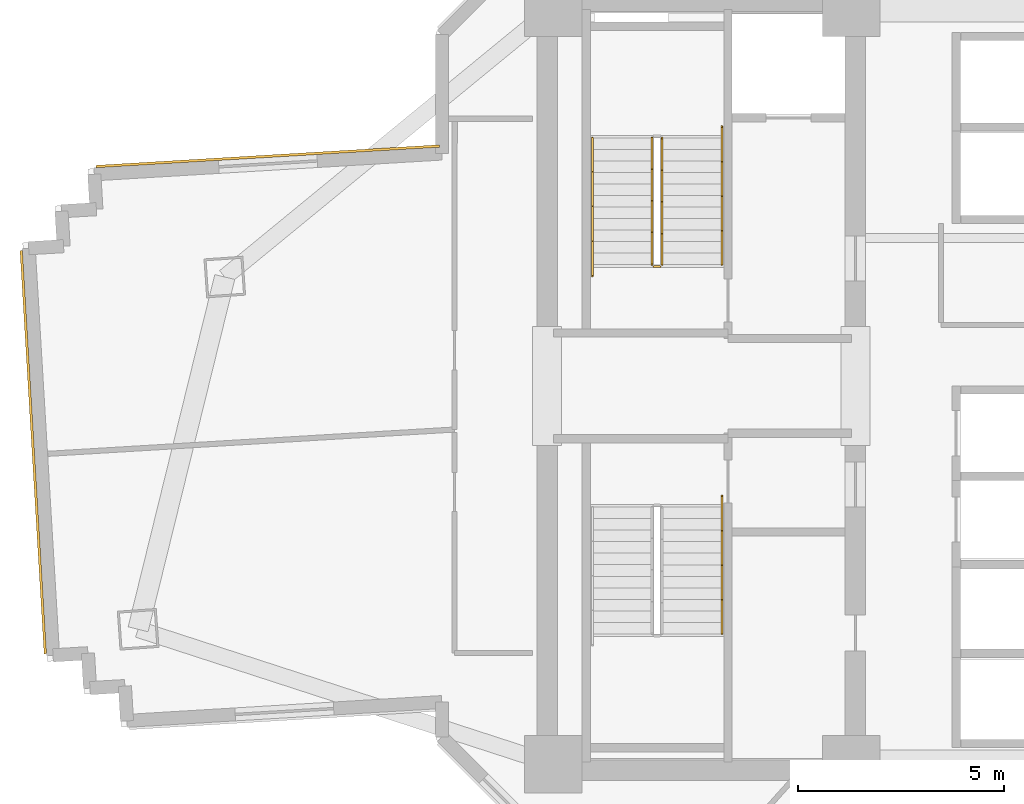
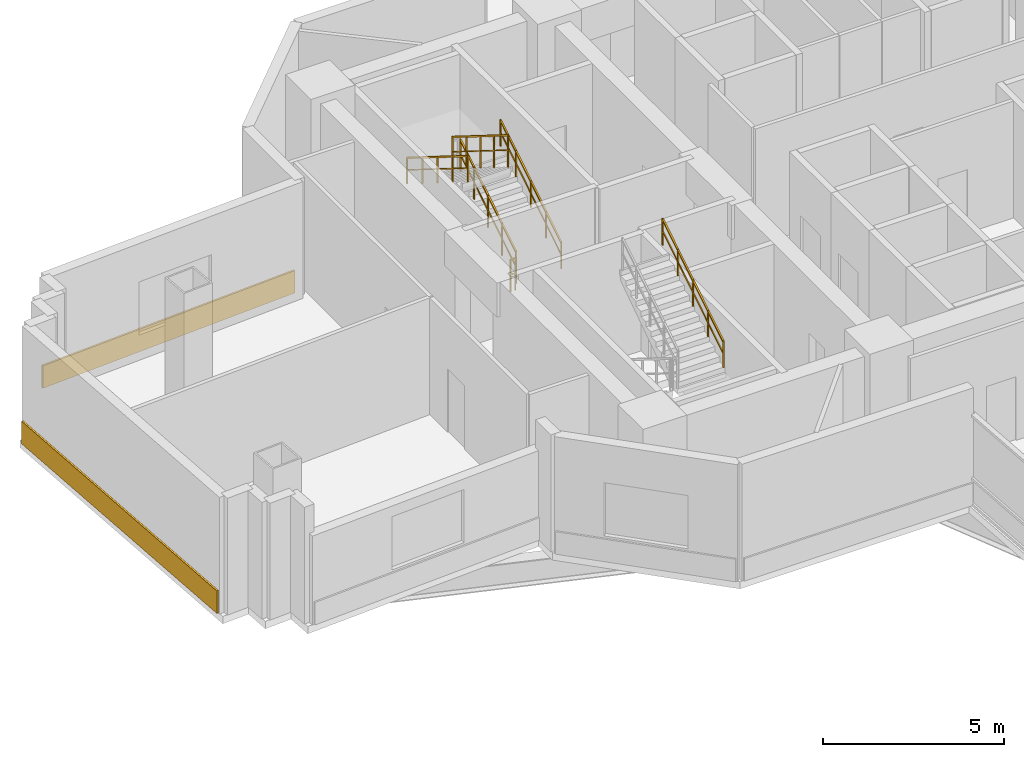
# One storey, part 12 of 15: 6 railings, 2 coverings.
"""IFC4 building model written with IfcOpenShell, lengths in metres."""

from ifc_helpers import new_model, si_unit, direction, frame, origin, origin_2d, place, context, subcontext, project, spatial, rectangle, extrude, source, transform, mapped, material, layer, layer_set, type_object, element, save


model = new_model("IFC4")

# Units and contexts
model_context = context("Model", 3, precision=1e-05, world=origin(), true_north=direction((0.0, 1.0)))
body_context = subcontext(model_context, "Body", "Model", "MODEL_VIEW")
ifc_project = project(units=[si_unit("LENGTHUNIT", "METRE"), si_unit("AREAUNIT", "SQUARE_METRE"), si_unit("VOLUMEUNIT", "CUBIC_METRE"), si_unit("PLANEANGLEUNIT", "RADIAN"), si_unit("MASSUNIT", "GRAM", prefix="KILO")], contexts=[model_context])

# Site, building, storey
site_placement = place(None, origin())
site = spatial("IfcSite", under=ifc_project, at=site_placement, CompositionType="ELEMENT")
building_placement = place(site_placement, origin())
building = spatial("IfcBuilding", under=site, at=building_placement, Name="Zahravan Cultural Tower", CompositionType="ELEMENT")
storey_placement = place(building_placement, frame((0.0, 0.0, 75.300048828125)))
storey = spatial("IfcBuildingStorey", under=building, at=storey_placement, Name="L16", CompositionType="ELEMENT", Elevation=75.300048828125)

# Railings
ifc_material_1 = material(Name="Steel ASTM A572 Grade 50", Category="steel")
railing_type_1 = type_object("IfcRailingType", Name="RL-STAIR-GRD1150", PredefinedType="BALUSTRADE", material=ifc_material_1)
railing_1_placement = place(storey_placement, frame((24.300048828125, 29.949951171875, 0.175048828125)))
element("IfcRailing", 1, at=railing_1_placement, inside=storey, type_object=railing_type_1, Name="L16 ST-W1 stair guard 1", PredefinedType="BALUSTRADE", context=body_context, shape_type="SweptSolid", body=[
    extrude(rectangle(XDim=0.05, YDim=0.05, at=origin_2d()), frame((0.0, 0.0, 1.0751953125), z_axis=(0.0, 0.848028513186, 0.529950602248), x_axis=(-1.0, 0.0, 0.0)), (0.0, 0.0, 1.0), 3.632080078125),
    extrude(rectangle(XDim=0.032, YDim=0.032, at=origin_2d()), frame((0.0, 0.0, 0.572021484375), z_axis=(0.0, 0.848028513186, 0.529950602248), x_axis=(-1.0, 0.0, 0.0)), (0.0, 0.0, 1.0), 3.632080078125),
    extrude(rectangle(XDim=0.04, YDim=0.04, at=origin_2d()), origin(), (0.0, 0.0, 1.0), 1.10009765625),
    extrude(rectangle(XDim=0.04, YDim=0.04, at=origin_2d()), frame((0.0, 0.77001953125, 0.481201171875)), (0.0, 0.0, 1.0), 1.10009765625),
    extrude(rectangle(XDim=0.04, YDim=0.04, at=origin_2d()), frame((0.0, 1.5400390625, 0.96240234375)), (0.0, 0.0, 1.0), 1.10009765625),
    extrude(rectangle(XDim=0.04, YDim=0.04, at=origin_2d()), frame((0.0, 2.31005859375, 1.443603515625)), (0.0, 0.0, 1.0), 1.10009765625),
    extrude(rectangle(XDim=0.04, YDim=0.04, at=origin_2d()), frame((0.0, 3.080078125, 1.9248046875)), (0.0, 0.0, 1.0), 1.10009765625),
])
railing_2_placement = place(storey_placement, frame((24.050048828125, 33.030029296875, 2.27490234375)))
element("IfcRailing", 2, at=railing_2_placement, inside=storey, type_object=railing_type_1, Name="L16 ST-W1 stair guard 3", PredefinedType="BALUSTRADE", context=body_context, shape_type="SweptSolid", body=[
    extrude(rectangle(XDim=0.05, YDim=0.05, at=origin_2d()), frame((0.0, 0.0, 1.0751953125), z_axis=(0.0, -0.847998304005, 0.529998940003), x_axis=(1.0, 0.0, 0.0)), (0.0, 0.0, 1.0), 3.632080078125),
    extrude(rectangle(XDim=0.032, YDim=0.032, at=origin_2d()), frame((0.0, 0.0, 0.572021484375), z_axis=(0.0, -0.847998304005, 0.529998940003), x_axis=(1.0, 0.0, 0.0)), (0.0, 0.0, 1.0), 3.632080078125),
    extrude(rectangle(XDim=0.04, YDim=0.04, at=origin_2d()), origin(), (0.0, 0.0, 1.0), 1.10009765625),
    extrude(rectangle(XDim=0.04, YDim=0.04, at=origin_2d()), frame((0.0, -0.77001953125, 0.481201171875)), (0.0, 0.0, 1.0), 1.10009765625),
    extrude(rectangle(XDim=0.04, YDim=0.04, at=origin_2d()), frame((0.0, -1.5400390625, 0.96240234375)), (0.0, 0.0, 1.0), 1.10009765625),
    extrude(rectangle(XDim=0.04, YDim=0.04, at=origin_2d()), frame((0.0, -2.31005859375, 1.44384765625)), (0.0, 0.0, 1.0), 1.10009765625),
    extrude(rectangle(XDim=0.04, YDim=0.04, at=origin_2d()), frame((0.0, -3.080078125, 1.925048828125)), (0.0, 0.0, 1.0), 1.10009765625),
])
railing_3_placement = place(storey_placement, frame((24.25, 29.89990234375, 0.0)))
element("IfcRailing", 3, at=railing_3_placement, inside=storey, type_object=railing_type_1, Name="L16 ST-W1 stair guard 4", PredefinedType="BALUSTRADE", context=body_context, shape_type="SweptSolid", body=[
    extrude(rectangle(XDim=0.05, YDim=0.05, at=origin_2d()), frame((0.0, 0.0, 1.0751953125), z_axis=(-1.0, 0.0, 0.0), x_axis=(0.0, -1.0, 0.0)), (0.0, 0.0, 1.0), 0.14990234375),
    extrude(rectangle(XDim=0.032, YDim=0.032, at=origin_2d()), frame((0.0, 0.0, 0.572021484375), z_axis=(-1.0, 0.0, 0.0), x_axis=(0.0, -1.0, 0.0)), (0.0, 0.0, 1.0), 0.14990234375),
    extrude(rectangle(XDim=0.04, YDim=0.04, at=origin_2d()), origin(), (0.0, 0.0, 1.0), 1.10009765625),
    extrude(rectangle(XDim=0.04, YDim=0.04, at=origin_2d()), frame((-0.14990234375, 0.0, 0.0)), (0.0, 0.0, 1.0), 1.10009765625),
])
railing_type_2 = type_object("IfcRailingType", Name="RL-STAIR-HR900", PredefinedType="HANDRAIL", material=ifc_material_1)
railing_4_placement = place(storey_placement, frame((25.75, 29.949951171875, 0.175048828125)))
element("IfcRailing", 4, at=railing_4_placement, inside=storey, type_object=railing_type_2, Name="L16 ST-W1 stair handrail 1", PredefinedType="HANDRAIL", context=body_context, shape_type="SweptSolid", body=[
    extrude(rectangle(XDim=0.05, YDim=0.05, at=origin_2d()), frame((0.0, 0.0, 0.875), z_axis=(0.0, 0.848022534174, 0.529960169762), x_axis=(-1.0, 0.0, 0.0)), (0.0, 0.0, 1.0), 3.96240234375),
    extrude(rectangle(XDim=0.032, YDim=0.032, at=origin_2d()), frame((0.0, 0.0, 0.468017578125), z_axis=(0.0, 0.848022534174, 0.529960169762), x_axis=(-1.0, 0.0, 0.0)), (0.0, 0.0, 1.0), 3.96240234375),
    extrude(rectangle(XDim=0.04, YDim=0.04, at=origin_2d()), origin(), (0.0, 0.0, 1.0), 0.89990234375),
    extrude(rectangle(XDim=0.04, YDim=0.04, at=origin_2d()), frame((0.0, 0.840087890625, 0.52490234375)), (0.0, 0.0, 1.0), 0.89990234375),
    extrude(rectangle(XDim=0.04, YDim=0.04, at=origin_2d()), frame((0.0, 1.68017578125, 1.0498046875)), (0.0, 0.0, 1.0), 0.89990234375),
    extrude(rectangle(XDim=0.04, YDim=0.04, at=origin_2d()), frame((0.0, 2.52001953125, 1.574951171875)), (0.0, 0.0, 1.0), 0.89990234375),
    extrude(rectangle(XDim=0.04, YDim=0.04, at=origin_2d()), frame((0.0, 3.360107421875, 2.099853515625)), (0.0, 0.0, 1.0), 0.89990234375),
])
railing_5_placement = place(storey_placement, frame((22.60009765625, 33.030029296875, 2.27490234375)))
element("IfcRailing", 5, at=railing_5_placement, inside=storey, type_object=railing_type_2, Name="L16 ST-W1 stair handrail 2", PredefinedType="HANDRAIL", context=body_context, shape_type="SweptSolid", body=[
    extrude(rectangle(XDim=0.05, YDim=0.05, at=origin_2d()), frame((0.0, 0.0, 0.875), z_axis=(0.0, -0.847994842521, 0.530004478338), x_axis=(1.0, 0.0, 0.0)), (0.0, 0.0, 1.0), 3.96240234375),
    extrude(rectangle(XDim=0.032, YDim=0.032, at=origin_2d()), frame((0.0, 0.0, 0.468017578125), z_axis=(0.0, -0.847994842521, 0.530004478338), x_axis=(1.0, 0.0, 0.0)), (0.0, 0.0, 1.0), 3.96240234375),
    extrude(rectangle(XDim=0.04, YDim=0.04, at=origin_2d()), origin(), (0.0, 0.0, 1.0), 0.89990234375),
    extrude(rectangle(XDim=0.04, YDim=0.04, at=origin_2d()), frame((0.0, -0.840087890625, 0.52490234375)), (0.0, 0.0, 1.0), 0.89990234375),
    extrude(rectangle(XDim=0.04, YDim=0.04, at=origin_2d()), frame((0.0, -1.68017578125, 1.050048828125)), (0.0, 0.0, 1.0), 0.89990234375),
    extrude(rectangle(XDim=0.04, YDim=0.04, at=origin_2d()), frame((0.0, -2.52001953125, 1.5751953125)), (0.0, 0.0, 1.0), 0.89990234375),
    extrude(rectangle(XDim=0.04, YDim=0.04, at=origin_2d()), frame((0.0, -3.360107421875, 2.10009765625)), (0.0, 0.0, 1.0), 0.89990234375),
])
railing_6_placement = place(storey_placement, frame((25.75, 20.969970703125, 2.27490234375)))
element("IfcRailing", 6, at=railing_6_placement, inside=storey, type_object=railing_type_2, Name="L16 ST-W2 stair handrail 2", PredefinedType="HANDRAIL", context=body_context, shape_type="SweptSolid", body=[
    extrude(rectangle(XDim=0.05, YDim=0.05, at=origin_2d()), frame((0.0, 0.0, 0.875), z_axis=(0.0, 0.847994842521, 0.530004478338), x_axis=(-1.0, 0.0, 0.0)), (0.0, 0.0, 1.0), 3.96240234375),
    extrude(rectangle(XDim=0.032, YDim=0.032, at=origin_2d()), frame((0.0, 0.0, 0.468017578125), z_axis=(0.0, 0.847994842521, 0.530004478338), x_axis=(-1.0, 0.0, 0.0)), (0.0, 0.0, 1.0), 3.96240234375),
    extrude(rectangle(XDim=0.04, YDim=0.04, at=origin_2d()), origin(), (0.0, 0.0, 1.0), 0.89990234375),
    extrude(rectangle(XDim=0.04, YDim=0.04, at=origin_2d()), frame((0.0, 0.840087890625, 0.52490234375)), (0.0, 0.0, 1.0), 0.89990234375),
    extrude(rectangle(XDim=0.04, YDim=0.04, at=origin_2d()), frame((0.0, 1.68017578125, 1.050048828125)), (0.0, 0.0, 1.0), 0.89990234375),
    extrude(rectangle(XDim=0.04, YDim=0.04, at=origin_2d()), frame((0.0, 2.52001953125, 1.5751953125)), (0.0, 0.0, 1.0), 0.89990234375),
    extrude(rectangle(XDim=0.04, YDim=0.04, at=origin_2d()), frame((0.0, 3.360107421875, 2.10009765625)), (0.0, 0.0, 1.0), 0.89990234375),
])

# Coverings
ifc_material_2 = material(Name="Terracotta ceramic cladding", Category="masonry")
ifc_layer = layer(ifc_material_2, 0.06005859375)
ifc_layer_set = layer_set([ifc_layer], Name="Terracotta ceramic cladding")
covering_type = type_object("IfcCoveringType", Name="COV-CLAD-TC60", PredefinedType="CLADDING", material=ifc_layer_set)
shared_shape_1 = source(origin(), body_context, "Body", "SweptSolid", [
    extrude(rectangle(XDim=9.820068359375, YDim=0.06005859375, at=origin_2d()), origin(), (0.0, 0.0, 1.0), 0.760009765625),
])
covering_1_placement = place(storey_placement, frame((9.003173828125, 25.38671875, 0.02001953125), z_axis=(0.0, 0.0, 1.0), x_axis=(-0.05965482139, 0.998219065278, 0.0)))
element("IfcCovering", 7, at=covering_1_placement, inside=storey, type_object=covering_type, Name="L16 Terracotta Spandrel Cladding 33", PredefinedType="CLADDING", context=body_context, shape_type="MappedRepresentation", body=[
    mapped(shared_shape_1, transform((0.0, 0.0, 0.0), x_axis=(1.0, 0.0, 0.0), y_axis=(0.0, 1.0, 0.0), z_axis=(0.0, 0.0, 1.0), scale=1.0)),
])
shared_shape_2 = source(origin(), body_context, "Body", "SweptSolid", [
    extrude(rectangle(XDim=8.36767578125, YDim=0.06005859375, at=origin_2d()), origin(), (0.0, 0.0, 1.0), 0.760009765625),
])
covering_2_placement = place(storey_placement, frame((14.70263671875, 32.58447265625, 0.02001953125), z_axis=(0.0, 0.0, 1.0), x_axis=(0.998219065278, 0.05965482139, 0.0)))
element("IfcCovering", 8, at=covering_2_placement, inside=storey, type_object=covering_type, Name="L16 Terracotta Spandrel Cladding 38", PredefinedType="CLADDING", context=body_context, shape_type="MappedRepresentation", body=[
    mapped(shared_shape_2, transform((0.0, 0.0, 0.0), x_axis=(1.0, 0.0, 0.0), y_axis=(0.0, 1.0, 0.0), z_axis=(0.0, 0.0, 1.0), scale=1.0)),
])

save(model, "model.ifc")
